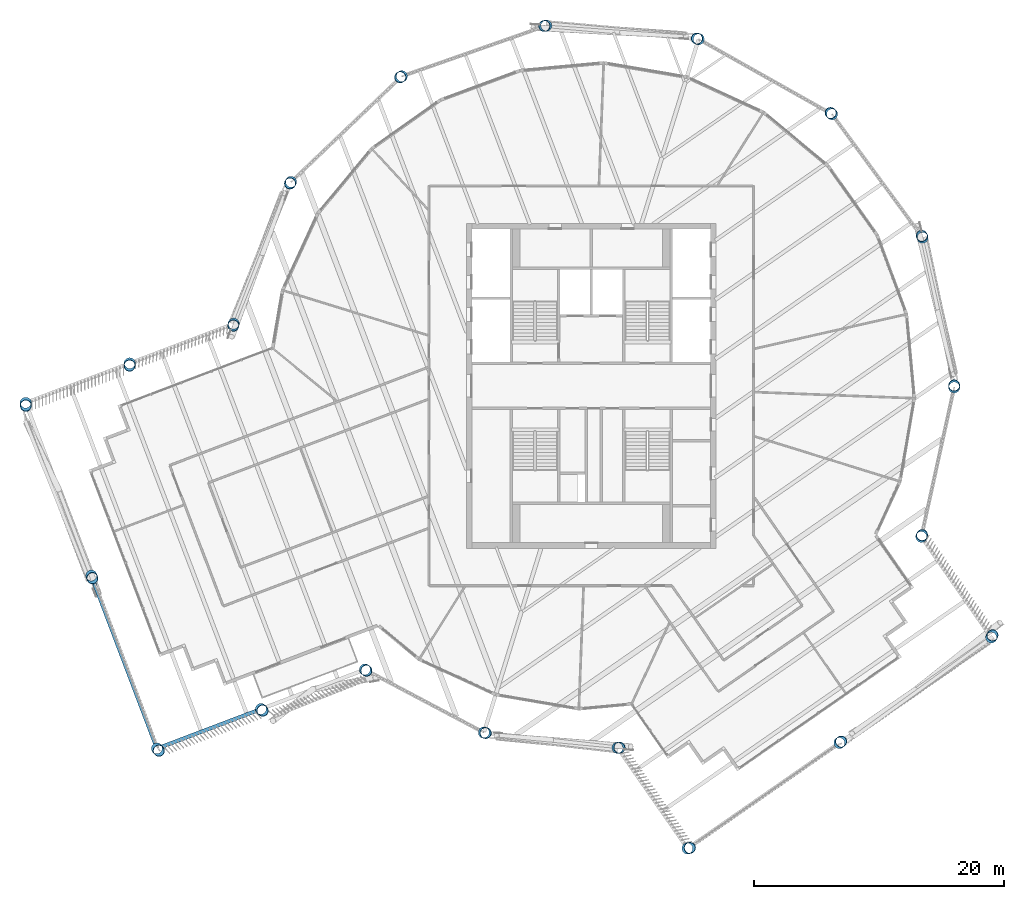
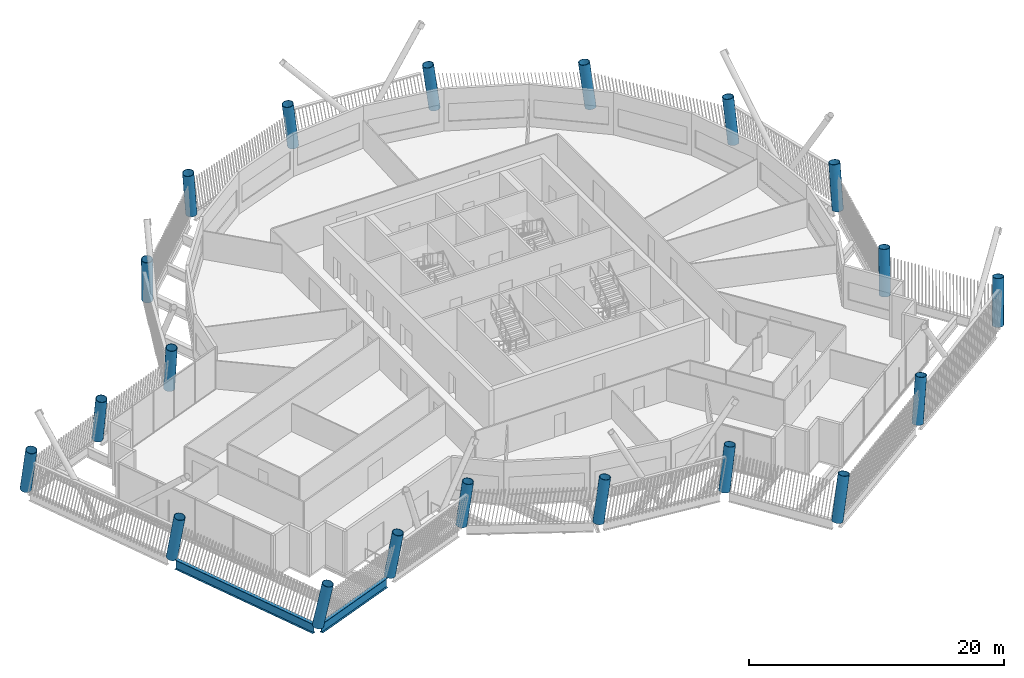
# One storey, part 1 of 33: 20 columns, 2 beams.
"""IFC4 building model written with IfcOpenShell, lengths in metres."""

from ifc_helpers import new_model, si_unit, direction, frame, origin, origin_2d, place, context, subcontext, project, spatial, hollow_circle, i_section, extrude, material, material_profile, profile_set, type_object, element, save


model = new_model("IFC4")

# Units and contexts
model_context = context("Model", 3, precision=1e-05, world=origin(), true_north=direction((0.0, 1.0)))
body_context = subcontext(model_context, "Body", "Model", "MODEL_VIEW")
ifc_project = project(units=[si_unit("LENGTHUNIT", "METRE"), si_unit("AREAUNIT", "SQUARE_METRE"), si_unit("VOLUMEUNIT", "CUBIC_METRE"), si_unit("PLANEANGLEUNIT", "RADIAN"), si_unit("MASSUNIT", "GRAM", prefix="KILO")], contexts=[model_context])

# Site, building, storey
site_placement = place(None, origin())
site = spatial("IfcSite", under=ifc_project, at=site_placement, CompositionType="ELEMENT")
building_placement = place(site_placement, origin())
building = spatial("IfcBuilding", under=site, at=building_placement, Name="Tarsis Ring Headquarters", CompositionType="ELEMENT")
storey_placement = place(building_placement, frame((0.0, 0.0, 369.199951171875)))
storey = spatial("IfcBuildingStorey", under=building, at=storey_placement, Name="L87", CompositionType="ELEMENT", Elevation=369.199951171875)

# Columns
ifc_material = material(Name="Structural steel S355", Category="steel")
ifc_material_profile_1 = material_profile(ifc_material, hollow_circle(Radius=0.45703125, WallThickness=0.0400390625, at=origin_2d()), Name="CHS 914x40")
ifc_profile_set_1 = profile_set([ifc_material_profile_1], Name="Structural steel S355")
column_type = type_object("IfcColumnType", Name="XC Exo column CHS 914x40", PredefinedType="COLUMN", material=ifc_profile_set_1)
for number, where, z_axis, x_axis, name in (
    (1, (-8.58984375, -27.74951171875, 0.0009765625), (0.119330857055, -0.035718472204, 0.992211840938), (0.286752827887, 0.958004601084, 0.0), "Exo column XC8 F1"),
    (2, (2.1123046875, -28.9716796875, 0.0009765625), (0.124177404392, 0.010213476105, 0.992207466785), (-0.081972270474, 0.996634610513, 0.0), "Exo column XC8 AK"),
):
    element("IfcColumn", number, at=place(storey_placement, frame(where, z_axis=z_axis, x_axis=x_axis)), inside=storey, type_object=column_type, Name=name, PredefinedType="COLUMN", context=body_context, shape_type="SweptSolid", body=[
        extrude(hollow_circle(Radius=0.457275390625, WallThickness=0.0400390625, at=origin_2d()), origin(), (0.0, 0.0, 1.0), 4.23095703125),
    ])
column_1_placement = place(storey_placement, frame((7.7080078125, -37.0224609375, 0.001220703125), z_axis=(0.157624572831, 0.034268707203, 0.986904326542), x_axis=(-0.212444418, 0.977173152139, 0.0)))
element("IfcColumn", 3, at=column_1_placement, inside=storey, type_object=column_type, Name="Exo column XC8 AT1", PredefinedType="COLUMN", context=body_context, shape_type="SweptSolid", body=[
    extrude(hollow_circle(Radius=0.457275390625, WallThickness=0.0400390625, at=origin_2d()), origin(), (0.0, 0.0, 1.0), 4.253173828125),
])
column_2_placement = place(storey_placement, frame((19.861083984375, -28.575927734375, 0.001220703125), z_axis=(0.121295761142, 0.085982533384, 0.988885404019), x_axis=(-0.578307089548, 0.815819165121, 0.0)))
element("IfcColumn", 4, at=column_2_placement, inside=storey, type_object=column_type, Name="Exo column XC8 AT2", PredefinedType="COLUMN", context=body_context, shape_type="SweptSolid", body=[
    extrude(hollow_circle(Radius=0.457275390625, WallThickness=0.0400390625, at=origin_2d()), origin(), (0.0, 0.0, 1.0), 4.244873046875),
])
column_3_placement = place(storey_placement, frame((32.013916015625, -20.129150390625, 0.001220703125), z_axis=(0.084610200226, 0.137305019634, 0.986908529501), x_axis=(-0.851340436587, 0.524613630238, 0.0)))
element("IfcColumn", 5, at=column_3_placement, inside=storey, type_object=column_type, Name="Exo column XC8 AT3", PredefinedType="COLUMN", context=body_context, shape_type="SweptSolid", body=[
    extrude(hollow_circle(Radius=0.457275390625, WallThickness=0.0400390625, at=origin_2d()), origin(), (0.0, 0.0, 1.0), 4.253173828125),
])
for number, where, z_axis, x_axis, name in (
    (6, (26.41845703125, -12.078369140625, 0.0009765625), (0.050721579073, 0.113734052735, 0.992215645243), (-0.913294898393, 0.40729894251, 0.0), "Exo column XC8 AJ"),
    (7, (29.04833984375, -0.115234375, 0.0009765625), (-0.000634736893, 0.124581541013, 0.992209169857), (-0.999987020988, -0.005094885239, 0.0), "Exo column XC8 R1"),
    (8, (26.513427734375, 11.868408203125, 0.0009765625), (-0.051933187776, 0.113214349352, 0.99221240423), (-0.908933174677, -0.416941823246, 0.0), "Exo column XC8 R2"),
    (9, (19.26416015625, 21.741943359375, 0.0009765625), (-0.093999186776, 0.08170831705, 0.99221363819), (-0.656041058788, -0.754725201106, 0.0), "Exo column XC8 R3"),
    (10, (8.58984375, 27.74951171875, 0.0009765625), (-0.119330857055, 0.035718472204, 0.992211840938), (-0.286752827887, -0.958004601084, 0.0), "Exo column XC8 R4"),
    (11, (-3.612060546875, 28.822998046875, 0.0009765625), (-0.12342823671, -0.016560964907, 0.992215301648), (0.132983147175, -0.991118298977, 0.0), "Exo column XC8 R5"),
    (12, (-15.17138671875, 24.771728515625, 0.0009765625), (-0.105654859412, -0.066012648371, 0.992209343303), (0.529874032699, -0.848076358279, 0.0), "Exo column XC8 R6"),
    (13, (-24.033447265625, 16.316162109375, 0.0009765625), (-0.069013415404, -0.103693233679, 0.992212105239), (0.832477671426, -0.554058594895, 0.0), "Exo column XC8 R7"),
    (14, (-28.6220703125, 4.959228515625, 0.0009765625), (-0.02013856106, -0.122908696439, 0.992213631582), (0.986840999522, -0.161693666119, 0.0), "Exo column XC8 BJ"),
):
    element("IfcColumn", number, at=place(storey_placement, frame(where, z_axis=z_axis, x_axis=x_axis)), inside=storey, type_object=column_type, Name=name, PredefinedType="COLUMN", context=body_context, shape_type="SweptSolid", body=[
        extrude(hollow_circle(Radius=0.457275390625, WallThickness=0.0400390625, at=origin_2d()), origin(), (0.0, 0.0, 1.0), 4.23095703125),
    ])
column_4_placement = place(storey_placement, frame((-36.944091796875, 1.7978515625, 0.001220703125), z_axis=(-0.006260319995, -0.157714116561, 0.98746496942), x_axis=(0.99921311894, -0.039662865974, 0.0)))
element("IfcColumn", 15, at=column_4_placement, inside=storey, type_object=column_type, Name="Exo column XC8 BO1", PredefinedType="COLUMN", context=body_context, shape_type="SweptSolid", body=[
    extrude(hollow_circle(Radius=0.457275390625, WallThickness=0.0400390625, at=origin_2d()), origin(), (0.0, 0.0, 1.0), 4.250732421875),
])
column_5_placement = place(storey_placement, frame((-45.26611328125, -1.363525390625, 0.00146484375), z_axis=(0.007535045265, -0.191915319556, 0.981382562109), x_axis=(0.999230124155, 0.039232116713, 0.0)))
element("IfcColumn", 16, at=column_5_placement, inside=storey, type_object=column_type, Name="Exo column XC8 BT3", PredefinedType="COLUMN", context=body_context, shape_type="SweptSolid", body=[
    extrude(hollow_circle(Radius=0.457275390625, WallThickness=0.0400390625, at=origin_2d()), origin(), (0.0, 0.0, 1.0), 4.27685546875),
])
column_6_placement = place(storey_placement, frame((-40.010498046875, -15.19873046875, 0.00146484375), z_axis=(0.066118640851, -0.169471914223, 0.983314596465), x_axis=(0.931608781521, 0.363462622828, 0.0)))
element("IfcColumn", 17, at=column_6_placement, inside=storey, type_object=column_type, Name="Exo column XC8 BT2", PredefinedType="COLUMN", context=body_context, shape_type="SweptSolid", body=[
    extrude(hollow_circle(Radius=0.457275390625, WallThickness=0.0400390625, at=origin_2d()), origin(), (0.0, 0.0, 1.0), 4.2685546875),
])
column_7_placement = place(storey_placement, frame((-34.7548828125, -29.0341796875, 0.00146484375), z_axis=(0.124498430554, -0.146304207937, 0.981374148595), x_axis=(0.761579953932, 0.648070963529, 0.0)))
element("IfcColumn", 18, at=column_7_placement, inside=storey, type_object=column_type, Name="Exo column XC8 BT1", PredefinedType="COLUMN", context=body_context, shape_type="SweptSolid", body=[
    extrude(hollow_circle(Radius=0.457275390625, WallThickness=0.0400390625, at=origin_2d()), origin(), (0.0, 0.0, 1.0), 4.27685546875),
])
column_8_placement = place(storey_placement, frame((-26.432861328125, -25.872802734375, 0.001220703125), z_axis=(0.111478559689, -0.11182316111, 0.987455371837), x_axis=(0.708197152071, 0.706014726333, 0.0)))
element("IfcColumn", 19, at=column_8_placement, inside=storey, type_object=column_type, Name="Exo column XC8 BI1", PredefinedType="COLUMN", context=body_context, shape_type="SweptSolid", body=[
    extrude(hollow_circle(Radius=0.457275390625, WallThickness=0.0400390625, at=origin_2d()), origin(), (0.0, 0.0, 1.0), 4.250732421875),
])
column_9_placement = place(storey_placement, frame((-18.11083984375, -22.711669921875, 0.0009765625), z_axis=(0.098096110198, -0.076745780331, 0.992213302856), x_axis=(0.616183332427, 0.787602755734, 0.0)))
element("IfcColumn", 20, at=column_9_placement, inside=storey, type_object=column_type, Name="Exo column XC8 BK", PredefinedType="COLUMN", context=body_context, shape_type="SweptSolid", body=[
    extrude(hollow_circle(Radius=0.457275390625, WallThickness=0.0400390625, at=origin_2d()), origin(), (0.0, 0.0, 1.0), 4.23095703125),
])

# Beams
ifc_material_profile_2 = material_profile(ifc_material, i_section(OverallWidth=0.3046875, OverallDepth=0.91943359375, WebThickness=0.017333984375, FlangeThickness=0.02783203125, at=origin_2d()), Name="W36x170")
ifc_profile_set_2 = profile_set([ifc_material_profile_2], Name="Structural steel S355")
beam_type = type_object("IfcBeamType", Name="XG Ring girder W36x170", PredefinedType="BEAM", material=ifc_profile_set_2)
beam_1_placement = place(storey_placement, frame((-39.864501953125, -15.583251953125, -0.459716796875), z_axis=(0.355107558081, -0.934825450121, 0.0), x_axis=(0.934825450121, 0.355107558081, 0.0)))
element("IfcBeam", 21, at=beam_1_placement, inside=storey, type_object=beam_type, Name="Ring girder XG4", PredefinedType="BEAM", context=body_context, shape_type="SweptSolid", body=[
    extrude(i_section(OverallWidth=0.3046875, OverallDepth=0.91943359375, WebThickness=0.017333984375, FlangeThickness=0.02783203125, at=origin_2d()), origin(), (0.0, 0.0, 1.0), 13.97705078125),
])
beam_2_placement = place(storey_placement, frame((-34.370361328125, -28.887939453125, -0.459716796875), z_axis=(0.934820500294, 0.355120588294, 0.0), x_axis=(-0.355120588294, 0.934820500294, 0.0)))
element("IfcBeam", 22, at=beam_2_placement, inside=storey, type_object=beam_type, Name="Ring girder XG4", PredefinedType="BEAM", context=body_context, shape_type="SweptSolid", body=[
    extrude(i_section(OverallWidth=0.3046875, OverallDepth=0.91943359375, WebThickness=0.017333984375, FlangeThickness=0.02783203125, at=origin_2d()), origin(), (0.0, 0.0, 1.0), 8.079345703125),
])

save(model, "model.ifc")
